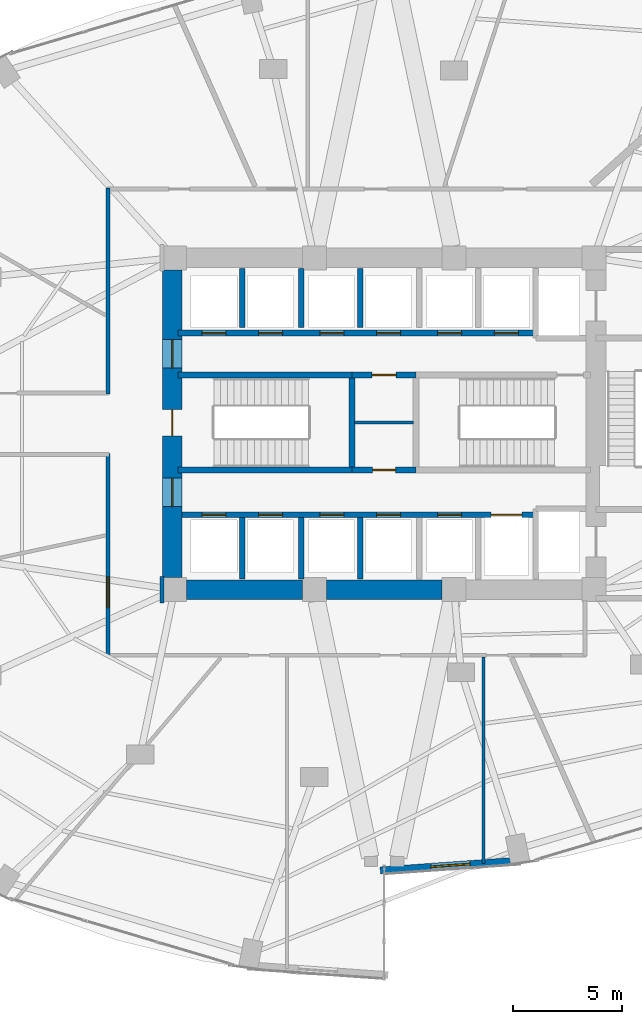
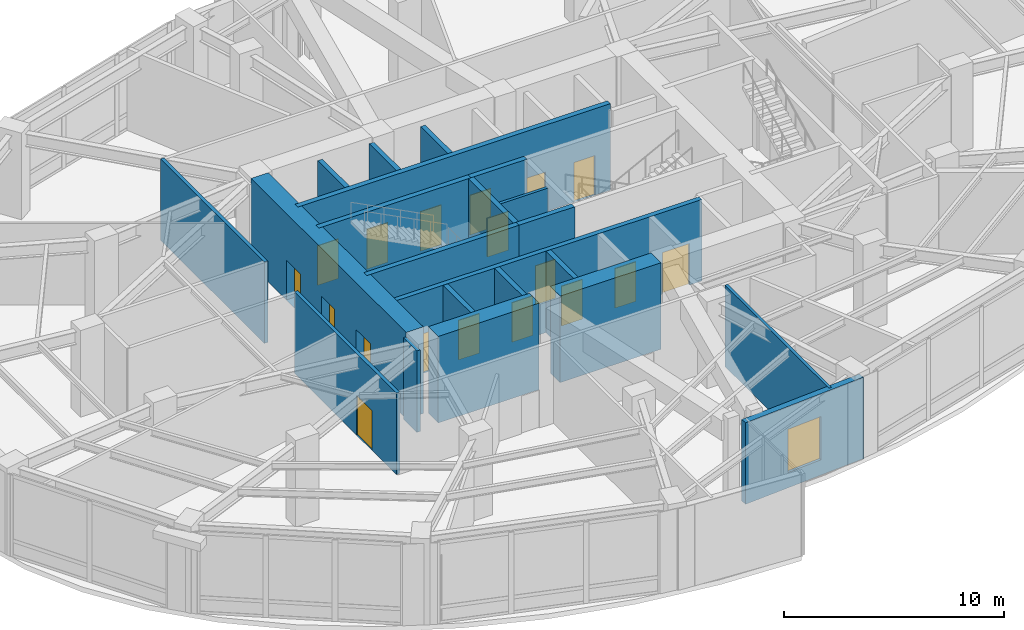
# One storey, part 21 of 24: 22 walls, 18 doors, 1 window, 19 openings.
"""IFC4 building model written with IfcOpenShell, lengths in metres."""

from ifc_helpers import new_model, si_unit, direction, frame, frame_2d, origin, place, context, subcontext, project, spatial, rectangle, extrude, material, layer, layer_set, type_object, element, fill, save


model = new_model("IFC4")

# Units and contexts
model_context = context("Model", 3, precision=1e-05, world=origin(), true_north=direction((0.0, 1.0)))
body_context = subcontext(model_context, "Body", "Model", "MODEL_VIEW")
ifc_project = project(units=[si_unit("LENGTHUNIT", "METRE"), si_unit("AREAUNIT", "SQUARE_METRE"), si_unit("VOLUMEUNIT", "CUBIC_METRE"), si_unit("PLANEANGLEUNIT", "RADIAN"), si_unit("MASSUNIT", "GRAM", prefix="KILO")], contexts=[model_context])

# Site, building, storey
site_placement = place(None, origin())
site = spatial("IfcSite", under=ifc_project, at=site_placement, CompositionType="ELEMENT")
building_placement = place(site_placement, origin())
building = spatial("IfcBuilding", under=site, at=building_placement, Name="Lazwardi Medical Tower", CompositionType="ELEMENT")
storey_placement = place(building_placement, frame((0.0, 0.0, 6.0)))
storey = spatial("IfcBuildingStorey", under=building, at=storey_placement, Name="L01", CompositionType="ELEMENT", Elevation=6.0)

# Walls
ifc_material_1 = material(Name="Fire-rated gypsum board on steel stud", Category="steel")
ifc_layer_1 = layer(ifc_material_1, 0.179931640625)
ifc_layer_set_1 = layer_set([ifc_layer_1], Name="Fire-rated gypsum board on steel stud")
wall_type_1 = type_object("IfcWallType", Name="WL-COR-180", PredefinedType="PARTITIONING", material=ifc_layer_set_1)
wall_1_placement = place(storey_placement, frame((23.35009765625, 29.360107421875, 0.0), z_axis=(0.0, 0.0, 1.0), x_axis=(0.0, 1.0, 0.0)))
element("IfcWall", 1, at=wall_1_placement, inside=storey, type_object=wall_type_1, Name="L01 Corridor partition 3", PredefinedType="PARTITIONING", context=body_context, shape_type="SweptSolid", body=[
    extrude(rectangle(XDim=9.429931640625, YDim=0.179931640625, at=frame_2d((4.71484375, 0.0))), origin(), (0.0, 0.0, 1.0), 4.52001953125),
])
wall_2_placement = place(storey_placement, frame((25.830078125, 21.010009765625, 0.0), z_axis=(0.0, 0.0, 1.0), x_axis=(0.0, -1.0, 0.0)))
element("IfcWall", 2, at=wall_2_placement, inside=storey, type_object=wall_type_1, Name="L01 Corridor partition 12", PredefinedType="PARTITIONING", context=body_context, shape_type="SweptSolid", body=[
    extrude(rectangle(XDim=1.219970703125, YDim=0.179931640625, at=frame_2d((0.60986328125, 0.0))), origin(), (0.0, 0.0, 1.0), 4.52001953125),
])

# Wall, opening, door
wall_3_placement = place(storey_placement, frame((23.35009765625, 17.360107421875, 0.0), z_axis=(0.0, 0.0, 1.0), x_axis=(0.0, 1.0, 0.0)))
wall_3 = element("IfcWall", 3, at=wall_3_placement, inside=storey, type_object=wall_type_1, Name="L01 Corridor partition 15", PredefinedType="PARTITIONING", context=body_context, shape_type="SweptSolid", body=[
    extrude(rectangle(XDim=9.27978515625, YDim=0.179931640625, at=frame_2d((4.639892578125, 0.0))), origin(), (0.0, 0.0, 1.0), 4.52001953125),
])
opening_1_placement = place(wall_3_placement, frame((2.2236328125, 0.0, 0.0)))
opening_1 = element("IfcOpeningElement", 4, at=opening_1_placement, cuts=wall_3, Name="Opening D-L01-007", PredefinedType="OPENING", context=body_context, shape_type="SweptSolid", body=[
    extrude(rectangle(XDim=1.39990234375, YDim=2.199951171875, at=frame_2d((0.699951171875, 1.10009765625))), frame((0.0, 0.099853515625, 0.0), z_axis=(0.0, -1.0, 0.0), x_axis=(1.0, 0.0, 0.0)), (0.0, 0.0, 1.0), 0.199951171875),
])
ifc_material_2 = material(Name="Anti-microbial laminate hospital leaf")
door_type_1 = type_object("IfcDoorType", Name="DR-BED-1400", OperationType="NOTDEFINED", PredefinedType="DOOR", material=ifc_material_2)
door_1_placement = place(opening_1_placement, origin())
door_1 = element("IfcDoor", 5, at=door_1_placement, inside=storey, type_object=door_type_1, Name="L01 Emergency Trauma Resuscitation Door 01", OperationType="SINGLE_SWING_RIGHT", OverallHeight=2.199951171875, OverallWidth=1.39990234375, PredefinedType="DOOR", context=body_context, shape_type="SweptSolid", body=[
    extrude(rectangle(XDim=1.39990234375, YDim=2.199951171875, at=frame_2d((0.699951171875, 1.10009765625))), frame((0.0, 0.02490234375, 0.0), z_axis=(0.0, -1.0, 0.0), x_axis=(1.0, 0.0, 0.0)), (0.0, 0.0, 1.0), 0.050048828125),
])
fill(opening_1, door_1)

# Wall, openings, doors
ifc_material_3 = material(Name="Concrete C80/95", Category="concrete")
ifc_layer_2 = layer(ifc_material_3, 0.89990234375)
ifc_layer_set_2 = layer_set([ifc_layer_2], Name="Concrete C80/95")
wall_type_2 = type_object("IfcWallType", Name="WL-CORE-900", PredefinedType="SHEAR", material=ifc_layer_set_2)
wall_4_placement = place(storey_placement, frame((26.300048828125, 20.949951171875, 0.0), z_axis=(0.0, 0.0, 1.0), x_axis=(0.0, 1.0, 0.0)))
wall_4 = element("IfcWall", 6, at=wall_4_placement, inside=storey, type_object=wall_type_2, Name="Core wall CW-S1 west L01", PredefinedType="SHEAR", context=body_context, shape_type="SweptSolid", body=[
    extrude(rectangle(XDim=14.10009765625, YDim=0.89990234375, at=frame_2d((7.050048828125, 0.0))), origin(), (0.0, 0.0, 1.0), 4.800048828125),
])
opening_2_placement = place(wall_4_placement, frame((6.5, 0.0, 0.0)))
opening_2 = element("IfcOpeningElement", 7, at=opening_2_placement, cuts=wall_4, Name="Opening D-L01-019", PredefinedType="OPENING", context=body_context, shape_type="SweptSolid", body=[
    extrude(rectangle(XDim=1.199951171875, YDim=2.14990234375, at=frame_2d((0.60009765625, 1.074951171875))), frame((0.0, 0.4599609375, 0.0), z_axis=(0.0, -1.0, 0.0), x_axis=(1.0, 0.0, 0.0)), (0.0, 0.0, 1.0), 0.919921875),
])
opening_3_placement = place(wall_4_placement, frame((9.60009765625, 0.0, 0.0)))
opening_3 = element("IfcOpeningElement", 8, at=opening_3_placement, cuts=wall_4, Name="Opening D-L01-005", PredefinedType="OPENING", context=body_context, shape_type="SweptSolid", body=[
    extrude(rectangle(XDim=1.300048828125, YDim=2.199951171875, at=frame_2d((0.64990234375, 1.10009765625))), frame((0.0, 0.4599609375, 0.0), z_axis=(0.0, -1.0, 0.0), x_axis=(1.0, 0.0, 0.0)), (0.0, 0.0, 1.0), 0.919921875),
])
opening_4_placement = place(wall_4_placement, frame((3.260009765625, 0.0, 0.0)))
opening_4 = element("IfcOpeningElement", 9, at=opening_4_placement, cuts=wall_4, Name="Opening D-L01-006", PredefinedType="OPENING", context=body_context, shape_type="SweptSolid", body=[
    extrude(rectangle(XDim=1.300048828125, YDim=2.199951171875, at=frame_2d((0.64990234375, 1.10009765625))), frame((0.0, 0.4599609375, 0.0), z_axis=(0.0, -1.0, 0.0), x_axis=(1.0, 0.0, 0.0)), (0.0, 0.0, 1.0), 0.919921875),
])
ifc_material_4 = material(Name="Fire-rated steel leaf and frame", Category="steel")
door_type_2 = type_object("IfcDoorType", Name="DR-FFL-1300", OperationType="NOTDEFINED", PredefinedType="DOOR", material=ifc_material_4)
door_2_placement = place(opening_3_placement, origin())
door_2 = element("IfcDoor", 10, at=door_2_placement, inside=storey, type_object=door_type_2, Name="L01 North Lift Lobby Door", OperationType="SINGLE_SWING_LEFT", OverallHeight=2.199951171875, OverallWidth=1.300048828125, PredefinedType="DOOR", context=body_context, shape_type="SweptSolid", body=[
    extrude(rectangle(XDim=1.300048828125, YDim=2.199951171875, at=frame_2d((0.64990234375, 1.10009765625))), frame((0.0, 0.02490234375, 0.0), z_axis=(0.0, -1.0, 0.0), x_axis=(1.0, 0.0, 0.0)), (0.0, 0.0, 1.0), 0.050048828125),
])
fill(opening_3, door_2)
door_3_placement = place(opening_4_placement, origin())
door_3 = element("IfcDoor", 11, at=door_3_placement, inside=storey, type_object=door_type_2, Name="L01 South Lift Lobby Door", OperationType="SINGLE_SWING_RIGHT", OverallHeight=2.199951171875, OverallWidth=1.300048828125, PredefinedType="DOOR", context=body_context, shape_type="SweptSolid", body=[
    extrude(rectangle(XDim=1.300048828125, YDim=2.199951171875, at=frame_2d((0.64990234375, 1.10009765625))), frame((0.0, 0.02490234375, 0.0), z_axis=(0.0, -1.0, 0.0), x_axis=(1.0, 0.0, 0.0)), (0.0, 0.0, 1.0), 0.050048828125),
])
fill(opening_4, door_3)
door_type_3 = type_object("IfcDoorType", Name="DR-STR-1200", OperationType="NOTDEFINED", PredefinedType="DOOR", material=ifc_material_4)
door_4_placement = place(opening_2_placement, origin())
door_4 = element("IfcDoor", 12, at=door_4_placement, inside=storey, type_object=door_type_3, Name="L01 Exit Stair ST1 Door", OperationType="SINGLE_SWING_LEFT", OverallHeight=2.14990234375, OverallWidth=1.199951171875, PredefinedType="DOOR", context=body_context, shape_type="SweptSolid", body=[
    extrude(rectangle(XDim=1.199951171875, YDim=2.14990234375, at=frame_2d((0.60009765625, 1.074951171875))), frame((0.0, 0.02490234375, 0.0), z_axis=(0.0, -1.0, 0.0), x_axis=(1.0, 0.0, 0.0)), (0.0, 0.0, 1.0), 0.050048828125),
])
fill(opening_2, door_4)

# Walls
wall_5_placement = place(storey_placement, frame((26.949951171875, 20.39990234375, 0.0), z_axis=(0.0, 0.0, 1.0), x_axis=(1.0, 0.0, 0.0)))
element("IfcWall", 13, at=wall_5_placement, inside=storey, type_object=wall_type_2, Name="Core wall CW-S1 S1 L01", PredefinedType="SHEAR", context=body_context, shape_type="SweptSolid", body=[
    extrude(rectangle(XDim=5.300048828125, YDim=0.89990234375, at=frame_2d((2.64990234375, 0.0))), origin(), (0.0, 0.0, 1.0), 4.800048828125),
])
wall_6_placement = place(storey_placement, frame((33.35009765625, 20.39990234375, 0.0), z_axis=(0.0, 0.0, 1.0), x_axis=(1.0, 0.0, 0.0)))
element("IfcWall", 14, at=wall_6_placement, inside=storey, type_object=wall_type_2, Name="Core wall CW-S1 S2 L01", PredefinedType="SHEAR", context=body_context, shape_type="SweptSolid", body=[
    extrude(rectangle(XDim=5.2998046875, YDim=0.89990234375, at=frame_2d((2.64990234375, 0.0))), origin(), (0.0, 0.0, 1.0), 4.800048828125),
])

# Wall, opening, window
ifc_material_5 = material(Name="Precast concrete C45/55", Category="concrete")
ifc_layer_3 = layer(ifc_material_5, 0.320068359375)
ifc_layer_set_3 = layer_set([ifc_layer_3], Name="Precast concrete C45/55")
wall_type_3 = type_object("IfcWallType", Name="WL-IWAN-320", PredefinedType="SOLIDWALL", material=ifc_layer_set_3)
wall_7_placement = place(storey_placement, frame((35.8203125, 7.54736328125, 0.0), z_axis=(0.0, 0.0, 1.0), x_axis=(0.99751367159, 0.070473221795, 0.0)))
wall_7 = element("IfcWall", 15, at=wall_7_placement, inside=storey, type_object=wall_type_3, Name="L01 Iwan Portal Return Wall SE_ret", PredefinedType="SOLIDWALL", context=body_context, shape_type="SweptSolid", body=[
    extrude(rectangle(XDim=6.45751953125, YDim=0.320068359375, at=frame_2d((3.228759765625, 0.0))), origin(), (0.0, 0.0, 1.0), 4.52001953125),
])
opening_5_placement = place(wall_7_placement, frame((2.32861328125, 0.0, 0.85009765625)))
opening_5 = element("IfcOpeningElement", 16, at=opening_5_placement, cuts=wall_7, Name="Opening WN-03", PredefinedType="OPENING", context=body_context, shape_type="SweptSolid", body=[
    extrude(rectangle(XDim=1.800048828125, YDim=2.39990234375, at=frame_2d((0.89990234375, 1.199951171875))), frame((0.0, 0.169921875, 0.0), z_axis=(0.0, -1.0, 0.0), x_axis=(1.0, 0.0, 0.0)), (0.0, 0.0, 1.0), 0.340087890625),
])
ifc_material_6 = material(Name="Laminated acoustic bronze double glazing", Category="glass")
window_type = type_object("IfcWindowType", Name="WIN-POD-1800", PartitioningType="SINGLE_PANEL", PredefinedType="WINDOW", material=ifc_material_6)
window_placement = place(opening_5_placement, origin())
window = element("IfcWindow", 17, at=window_placement, inside=storey, type_object=window_type, Name="L01 Iwan Slot Window SE_ret", OverallHeight=2.39990234375, OverallWidth=1.800048828125, PartitioningType="SINGLE_PANEL", PredefinedType="WINDOW", context=body_context, shape_type="SweptSolid", body=[
    extrude(rectangle(XDim=1.800048828125, YDim=2.39990234375, at=frame_2d((0.89990234375, 1.199951171875))), frame((0.0, 0.030029296875, 0.0), z_axis=(0.0, -1.0, 0.0), x_axis=(1.0, 0.0, 0.0)), (0.0, 0.0, 1.0), 0.06005859375),
])
fill(opening_5, window)

# Wall, openings, doors
ifc_material_7 = material(Name="Autoclaved aerated concrete blockwork", Category="masonry")
ifc_layer_4 = layer(ifc_material_7, 0.25)
ifc_layer_set_4 = layer_set([ifc_layer_4], Name="Autoclaved aerated concrete blockwork")
wall_type_4 = type_object("IfcWallType", Name="WL-SHAFT-250", PredefinedType="SOLIDWALL", material=ifc_layer_set_4)
wall_8_placement = place(storey_placement, frame((26.75, 23.830078125, 0.0), z_axis=(0.0, 0.0, 1.0), x_axis=(1.0, 0.0, 0.0)))
wall_8 = element("IfcWall", 18, at=wall_8_placement, inside=storey, type_object=wall_type_4, Name="L01 South lift bank front wall", PredefinedType="SOLIDWALL", context=body_context, shape_type="SweptSolid", body=[
    extrude(rectangle(XDim=16.199951171875, YDim=0.25, at=frame_2d((8.10009765625, 0.0))), origin(), (0.0, 0.0, 1.0), 4.52001953125),
])
opening_6_placement = place(wall_8_placement, frame((0.89990234375, 0.0, 0.0)))
opening_6 = element("IfcOpeningElement", 19, at=opening_6_placement, cuts=wall_8, Name="Opening LD-L01-006", PredefinedType="OPENING", context=body_context, shape_type="SweptSolid", body=[
    extrude(rectangle(XDim=1.10009765625, YDim=2.199951171875, at=frame_2d((0.550048828125, 1.10009765625))), frame((0.0, 0.135009765625, 0.0), z_axis=(0.0, -1.0, 0.0), x_axis=(1.0, 0.0, 0.0)), (0.0, 0.0, 1.0), 0.27001953125),
])
opening_7_placement = place(wall_8_placement, frame((3.5, 0.0, 0.0)))
opening_7 = element("IfcOpeningElement", 20, at=opening_7_placement, cuts=wall_8, Name="Opening LD-L01-007", PredefinedType="OPENING", context=body_context, shape_type="SweptSolid", body=[
    extrude(rectangle(XDim=1.10009765625, YDim=2.199951171875, at=frame_2d((0.550048828125, 1.10009765625))), frame((0.0, 0.135009765625, 0.0), z_axis=(0.0, -1.0, 0.0), x_axis=(1.0, 0.0, 0.0)), (0.0, 0.0, 1.0), 0.27001953125),
])
opening_8_placement = place(wall_8_placement, frame((6.300048828125, 0.0, 0.0)))
opening_8 = element("IfcOpeningElement", 21, at=opening_8_placement, cuts=wall_8, Name="Opening LD-L01-010", PredefinedType="OPENING", context=body_context, shape_type="SweptSolid", body=[
    extrude(rectangle(XDim=1.10009765625, YDim=2.199951171875, at=frame_2d((0.550048828125, 1.10009765625))), frame((0.0, 0.135009765625, 0.0), z_axis=(0.0, -1.0, 0.0), x_axis=(1.0, 0.0, 0.0)), (0.0, 0.0, 1.0), 0.27001953125),
])
opening_9_placement = place(wall_8_placement, frame((8.89990234375, 0.0, 0.0)))
opening_9 = element("IfcOpeningElement", 22, at=opening_9_placement, cuts=wall_8, Name="Opening LD-L01-011", PredefinedType="OPENING", context=body_context, shape_type="SweptSolid", body=[
    extrude(rectangle(XDim=1.10009765625, YDim=2.199951171875, at=frame_2d((0.550048828125, 1.10009765625))), frame((0.0, 0.135009765625, 0.0), z_axis=(0.0, -1.0, 0.0), x_axis=(1.0, 0.0, 0.0)), (0.0, 0.0, 1.0), 0.27001953125),
])
opening_10_placement = place(wall_8_placement, frame((11.699951171875, 0.0, 0.0)))
opening_10 = element("IfcOpeningElement", 23, at=opening_10_placement, cuts=wall_8, Name="Opening LD-L01-014", PredefinedType="OPENING", context=body_context, shape_type="SweptSolid", body=[
    extrude(rectangle(XDim=1.10009765625, YDim=2.199951171875, at=frame_2d((0.550048828125, 1.10009765625))), frame((0.0, 0.135009765625, 0.0), z_axis=(0.0, -1.0, 0.0), x_axis=(1.0, 0.0, 0.0)), (0.0, 0.0, 1.0), 0.27001953125),
])
opening_11_placement = place(wall_8_placement, frame((14.14990234375, 0.0, 0.0)))
opening_11 = element("IfcOpeningElement", 24, at=opening_11_placement, cuts=wall_8, Name="Opening LD-L01-003", PredefinedType="OPENING", context=body_context, shape_type="SweptSolid", body=[
    extrude(rectangle(XDim=1.39990234375, YDim=2.300048828125, at=frame_2d((0.699951171875, 1.14990234375))), frame((0.0, 0.135009765625, 0.0), z_axis=(0.0, -1.0, 0.0), x_axis=(1.0, 0.0, 0.0)), (0.0, 0.0, 1.0), 0.27001953125),
])
ifc_material_8 = material(Name="Brushed bronze stainless steel landing door", Category="steel")
door_type_4 = type_object("IfcDoorType", Name="DR-LFT-1100", OperationType="NOTDEFINED", PredefinedType="DOOR", material=ifc_material_8)
door_5_placement = place(opening_6_placement, origin())
door_5 = element("IfcDoor", 25, at=door_5_placement, inside=storey, type_object=door_type_4, Name="L01 Lift Landing Door PL-03", OperationType="SLIDING_TO_LEFT", OverallHeight=2.199951171875, OverallWidth=1.10009765625, PredefinedType="DOOR", context=body_context, shape_type="SweptSolid", body=[
    extrude(rectangle(XDim=1.10009765625, YDim=2.199951171875, at=frame_2d((0.550048828125, 1.10009765625))), frame((0.0, 0.02490234375, 0.0), z_axis=(0.0, -1.0, 0.0), x_axis=(1.0, 0.0, 0.0)), (0.0, 0.0, 1.0), 0.050048828125),
])
fill(opening_6, door_5)
door_6_placement = place(opening_7_placement, origin())
door_6 = element("IfcDoor", 26, at=door_6_placement, inside=storey, type_object=door_type_4, Name="L01 Lift Landing Door PL-04", OperationType="SLIDING_TO_LEFT", OverallHeight=2.199951171875, OverallWidth=1.10009765625, PredefinedType="DOOR", context=body_context, shape_type="SweptSolid", body=[
    extrude(rectangle(XDim=1.10009765625, YDim=2.199951171875, at=frame_2d((0.550048828125, 1.10009765625))), frame((0.0, 0.02490234375, 0.0), z_axis=(0.0, -1.0, 0.0), x_axis=(1.0, 0.0, 0.0)), (0.0, 0.0, 1.0), 0.050048828125),
])
fill(opening_7, door_6)
door_7_placement = place(opening_8_placement, origin())
door_7 = element("IfcDoor", 27, at=door_7_placement, inside=storey, type_object=door_type_4, Name="L01 Lift Landing Door PL-07", OperationType="SLIDING_TO_LEFT", OverallHeight=2.199951171875, OverallWidth=1.10009765625, PredefinedType="DOOR", context=body_context, shape_type="SweptSolid", body=[
    extrude(rectangle(XDim=1.10009765625, YDim=2.199951171875, at=frame_2d((0.550048828125, 1.10009765625))), frame((0.0, 0.02490234375, 0.0), z_axis=(0.0, -1.0, 0.0), x_axis=(1.0, 0.0, 0.0)), (0.0, 0.0, 1.0), 0.050048828125),
])
fill(opening_8, door_7)
door_8_placement = place(opening_9_placement, origin())
door_8 = element("IfcDoor", 28, at=door_8_placement, inside=storey, type_object=door_type_4, Name="L01 Lift Landing Door PL-08", OperationType="SLIDING_TO_LEFT", OverallHeight=2.199951171875, OverallWidth=1.10009765625, PredefinedType="DOOR", context=body_context, shape_type="SweptSolid", body=[
    extrude(rectangle(XDim=1.10009765625, YDim=2.199951171875, at=frame_2d((0.550048828125, 1.10009765625))), frame((0.0, 0.02490234375, 0.0), z_axis=(0.0, -1.0, 0.0), x_axis=(1.0, 0.0, 0.0)), (0.0, 0.0, 1.0), 0.050048828125),
])
fill(opening_9, door_8)
door_9_placement = place(opening_10_placement, origin())
door_9 = element("IfcDoor", 29, at=door_9_placement, inside=storey, type_object=door_type_4, Name="L01 Lift Landing Door PL-11", OperationType="SLIDING_TO_LEFT", OverallHeight=2.199951171875, OverallWidth=1.10009765625, PredefinedType="DOOR", context=body_context, shape_type="SweptSolid", body=[
    extrude(rectangle(XDim=1.10009765625, YDim=2.199951171875, at=frame_2d((0.550048828125, 1.10009765625))), frame((0.0, 0.02490234375, 0.0), z_axis=(0.0, -1.0, 0.0), x_axis=(1.0, 0.0, 0.0)), (0.0, 0.0, 1.0), 0.050048828125),
])
fill(opening_10, door_9)
ifc_material_9 = material(Name="Brushed stainless steel bed-lift landing door", Category="steel")
door_type_5 = type_object("IfcDoorType", Name="DR-LFT-1400", OperationType="NOTDEFINED", PredefinedType="DOOR", material=ifc_material_9)
door_10_placement = place(opening_11_placement, origin())
door_10 = element("IfcDoor", 30, at=door_10_placement, inside=storey, type_object=door_type_5, Name="L01 Lift Landing Door FL-03", OperationType="SLIDING_TO_LEFT", OverallHeight=2.300048828125, OverallWidth=1.39990234375, PredefinedType="DOOR", context=body_context, shape_type="SweptSolid", body=[
    extrude(rectangle(XDim=1.39990234375, YDim=2.300048828125, at=frame_2d((0.699951171875, 1.14990234375))), frame((0.0, 0.02490234375, 0.0), z_axis=(0.0, -1.0, 0.0), x_axis=(1.0, 0.0, 0.0)), (0.0, 0.0, 1.0), 0.050048828125),
])
fill(opening_11, door_10)

# Walls
wall_9_placement = place(storey_placement, frame((29.5, 32.419921875, 0.0), z_axis=(0.0, 0.0, 1.0), x_axis=(0.0, 1.0, 0.0)))
element("IfcWall", 31, at=wall_9_placement, inside=storey, type_object=wall_type_4, Name="L01 North hoistway divider", PredefinedType="SOLIDWALL", context=body_context, shape_type="SweptSolid", body=[
    extrude(rectangle(XDim=2.68017578125, YDim=0.25, at=frame_2d((1.340087890625, 0.0))), origin(), (0.0, 0.0, 1.0), 4.52001953125),
])
wall_10_placement = place(storey_placement, frame((29.5, 20.89990234375, 0.0), z_axis=(0.0, 0.0, 1.0), x_axis=(0.0, 1.0, 0.0)))
element("IfcWall", 32, at=wall_10_placement, inside=storey, type_object=wall_type_4, Name="L01 South hoistway divider", PredefinedType="SOLIDWALL", context=body_context, shape_type="SweptSolid", body=[
    extrude(rectangle(XDim=2.800048828125, YDim=0.25, at=frame_2d((1.39990234375, 0.0))), origin(), (0.0, 0.0, 1.0), 4.52001953125),
])
wall_11_placement = place(storey_placement, frame((32.199951171875, 32.419921875, 0.0), z_axis=(0.0, 0.0, 1.0), x_axis=(0.0, 1.0, 0.0)))
element("IfcWall", 33, at=wall_11_placement, inside=storey, type_object=wall_type_4, Name="L01 North hoistway divider", PredefinedType="SOLIDWALL", context=body_context, shape_type="SweptSolid", body=[
    extrude(rectangle(XDim=2.68017578125, YDim=0.25, at=frame_2d((1.340087890625, 0.0))), origin(), (0.0, 0.0, 1.0), 4.52001953125),
])
wall_12_placement = place(storey_placement, frame((32.199951171875, 20.89990234375, 0.0), z_axis=(0.0, 0.0, 1.0), x_axis=(0.0, 1.0, 0.0)))
element("IfcWall", 34, at=wall_12_placement, inside=storey, type_object=wall_type_4, Name="L01 South hoistway divider", PredefinedType="SOLIDWALL", context=body_context, shape_type="SweptSolid", body=[
    extrude(rectangle(XDim=2.800048828125, YDim=0.25, at=frame_2d((1.39990234375, 0.0))), origin(), (0.0, 0.0, 1.0), 4.52001953125),
])
wall_13_placement = place(storey_placement, frame((34.89990234375, 32.419921875, 0.0), z_axis=(0.0, 0.0, 1.0), x_axis=(0.0, 1.0, 0.0)))
element("IfcWall", 35, at=wall_13_placement, inside=storey, type_object=wall_type_4, Name="L01 North hoistway divider", PredefinedType="SOLIDWALL", context=body_context, shape_type="SweptSolid", body=[
    extrude(rectangle(XDim=2.68017578125, YDim=0.25, at=frame_2d((1.340087890625, 0.0))), origin(), (0.0, 0.0, 1.0), 4.52001953125),
])
wall_14_placement = place(storey_placement, frame((34.89990234375, 20.89990234375, 0.0), z_axis=(0.0, 0.0, 1.0), x_axis=(0.0, 1.0, 0.0)))
element("IfcWall", 36, at=wall_14_placement, inside=storey, type_object=wall_type_4, Name="L01 South hoistway divider", PredefinedType="SOLIDWALL", context=body_context, shape_type="SweptSolid", body=[
    extrude(rectangle(XDim=2.800048828125, YDim=0.25, at=frame_2d((1.39990234375, 0.0))), origin(), (0.0, 0.0, 1.0), 4.52001953125),
])
ifc_material_10 = material(Name="Concrete C50/60", Category="concrete")
ifc_layer_5 = layer(ifc_material_10, 0.27001953125)
ifc_layer_set_5 = layer_set([ifc_layer_5], Name="Concrete C50/60")
wall_type_5 = type_object("IfcWallType", Name="WL-STR-250", PredefinedType="SHEAR", material=ifc_layer_set_5)
wall_15_placement = place(storey_placement, frame((26.550048828125, 30.235107421875, 0.0), z_axis=(0.0, 0.0, 1.0), x_axis=(1.0, 0.0, 0.0)))
element("IfcWall", 37, at=wall_15_placement, inside=storey, type_object=wall_type_5, Name="L01 ST1 North shear shaft wall SW-S1", PredefinedType="SHEAR", context=body_context, shape_type="SweptSolid", body=[
    extrude(rectangle(XDim=7.98486328125, YDim=0.27001953125, at=frame_2d((3.992431640625, 0.0))), origin(), (0.0, 0.0, 1.0), 4.800048828125),
])

# Wall, opening, door
wall_16_placement = place(storey_placement, frame((34.534912109375, 30.235107421875, 0.0), z_axis=(0.0, 0.0, 1.0), x_axis=(1.0, 0.0, 0.0)))
wall_16 = element("IfcWall", 38, at=wall_16_placement, inside=storey, type_object=wall_type_5, Name="L01 Core service North shear wall SW-S1", PredefinedType="SHEAR", context=body_context, shape_type="SweptSolid", body=[
    extrude(rectangle(XDim=2.93017578125, YDim=0.27001953125, at=frame_2d((1.465087890625, 0.0))), origin(), (0.0, 0.0, 1.0), 4.800048828125),
])
opening_12_placement = place(wall_16_placement, frame((0.9150390625, 0.0, 0.0)))
opening_12 = element("IfcOpeningElement", 39, at=opening_12_placement, cuts=wall_16, Name="Opening D-L01-002", PredefinedType="OPENING", context=body_context, shape_type="SweptSolid", body=[
    extrude(rectangle(XDim=1.10009765625, YDim=2.14990234375, at=frame_2d((0.550048828125, 1.074951171875))), frame((0.0, 0.14501953125, 0.0), z_axis=(0.0, -1.0, 0.0), x_axis=(1.0, 0.0, 0.0)), (0.0, 0.0, 1.0), 0.2900390625),
])
door_type_6 = type_object("IfcDoorType", Name="DR-PLT-1100", OperationType="NOTDEFINED", PredefinedType="DOOR", material=ifc_material_4)
door_11_placement = place(opening_12_placement, origin())
door_11 = element("IfcDoor", 40, at=door_11_placement, inside=storey, type_object=door_type_6, Name="L01 Electrical Room Door", OperationType="SINGLE_SWING_RIGHT", OverallHeight=2.14990234375, OverallWidth=1.10009765625, PredefinedType="DOOR", context=body_context, shape_type="SweptSolid", body=[
    extrude(rectangle(XDim=1.10009765625, YDim=2.14990234375, at=frame_2d((0.550048828125, 1.074951171875))), frame((0.0, 0.02490234375, 0.0), z_axis=(0.0, -1.0, 0.0), x_axis=(1.0, 0.0, 0.0)), (0.0, 0.0, 1.0), 0.050048828125),
])
fill(opening_12, door_11)

# Wall
wall_17_placement = place(storey_placement, frame((26.550048828125, 25.885009765625, 0.0), z_axis=(0.0, 0.0, 1.0), x_axis=(1.0, 0.0, 0.0)))
element("IfcWall", 41, at=wall_17_placement, inside=storey, type_object=wall_type_5, Name="L01 ST1 South shear shaft wall SW-S1", PredefinedType="SHEAR", context=body_context, shape_type="SweptSolid", body=[
    extrude(rectangle(XDim=7.98486328125, YDim=0.27001953125, at=frame_2d((3.992431640625, 0.0))), origin(), (0.0, 0.0, 1.0), 4.800048828125),
])

# Wall, opening, door
wall_18_placement = place(storey_placement, frame((34.534912109375, 25.885009765625, 0.0), z_axis=(0.0, 0.0, 1.0), x_axis=(1.0, 0.0, 0.0)))
wall_18 = element("IfcWall", 42, at=wall_18_placement, inside=storey, type_object=wall_type_5, Name="L01 Core service South shear wall SW-S1", PredefinedType="SHEAR", context=body_context, shape_type="SweptSolid", body=[
    extrude(rectangle(XDim=2.93017578125, YDim=0.27001953125, at=frame_2d((1.465087890625, 0.0))), origin(), (0.0, 0.0, 1.0), 4.800048828125),
])
opening_13_placement = place(wall_18_placement, frame((0.93994140625, 0.0, 0.0)))
opening_13 = element("IfcOpeningElement", 43, at=opening_13_placement, cuts=wall_18, Name="Opening D-L01-001", PredefinedType="OPENING", context=body_context, shape_type="SweptSolid", body=[
    extrude(rectangle(XDim=1.050048828125, YDim=2.14990234375, at=frame_2d((0.52490234375, 1.074951171875))), frame((0.0, 0.14501953125, 0.0), z_axis=(0.0, -1.0, 0.0), x_axis=(1.0, 0.0, 0.0)), (0.0, 0.0, 1.0), 0.2900390625),
])
door_type_7 = type_object("IfcDoorType", Name="DR-CLN-1050", OperationType="NOTDEFINED", PredefinedType="DOOR", material=ifc_material_2)
door_12_placement = place(opening_13_placement, origin())
door_12 = element("IfcDoor", 44, at=door_12_placement, inside=storey, type_object=door_type_7, Name="L01 Dirty Sluice Door", OperationType="SINGLE_SWING_LEFT", OverallHeight=2.14990234375, OverallWidth=1.050048828125, PredefinedType="DOOR", context=body_context, shape_type="SweptSolid", body=[
    extrude(rectangle(XDim=1.050048828125, YDim=2.14990234375, at=frame_2d((0.52490234375, 1.074951171875))), frame((0.0, 0.02490234375, 0.0), z_axis=(0.0, -1.0, 0.0), x_axis=(1.0, 0.0, 0.0)), (0.0, 0.0, 1.0), 0.050048828125),
])
fill(opening_13, door_12)

# Wall
wall_19_placement = place(storey_placement, frame((34.534912109375, 26.02001953125, 0.0), z_axis=(0.0, 0.0, 1.0), x_axis=(0.0, 1.0, 0.0)))
element("IfcWall", 45, at=wall_19_placement, inside=storey, type_object=wall_type_5, Name="L01 ST1 East shear shaft wall SW-S1", PredefinedType="SHEAR", context=body_context, shape_type="SweptSolid", body=[
    extrude(rectangle(XDim=4.080078125, YDim=0.27001953125, at=frame_2d((2.0400390625, 0.0))), origin(), (0.0, 0.0, 1.0), 4.800048828125),
])

# Wall, openings, doors
wall_20_placement = place(storey_placement, frame((26.550048828125, 32.14990234375, 0.0), z_axis=(0.0, 0.0, 1.0), x_axis=(1.0, 0.0, 0.0)))
wall_20 = element("IfcWall", 46, at=wall_20_placement, inside=storey, type_object=wall_type_5, Name="L01 North lift bank shear wall SW-S1", PredefinedType="SHEAR", context=body_context, shape_type="SweptSolid", body=[
    extrude(rectangle(XDim=16.39990234375, YDim=0.27001953125, at=frame_2d((8.199951171875, 0.0))), origin(), (0.0, 0.0, 1.0), 4.800048828125),
])
opening_14_placement = place(wall_20_placement, frame((1.10009765625, 0.0, 0.0)))
opening_14 = element("IfcOpeningElement", 47, at=opening_14_placement, cuts=wall_20, Name="Opening LD-L01-004", PredefinedType="OPENING", context=body_context, shape_type="SweptSolid", body=[
    extrude(rectangle(XDim=1.10009765625, YDim=2.199951171875, at=frame_2d((0.550048828125, 1.10009765625))), frame((0.0, 0.14501953125, 0.0), z_axis=(0.0, -1.0, 0.0), x_axis=(1.0, 0.0, 0.0)), (0.0, 0.0, 1.0), 0.2900390625),
])
opening_15_placement = place(wall_20_placement, frame((3.699951171875, 0.0, 0.0)))
opening_15 = element("IfcOpeningElement", 48, at=opening_15_placement, cuts=wall_20, Name="Opening LD-L01-005", PredefinedType="OPENING", context=body_context, shape_type="SweptSolid", body=[
    extrude(rectangle(XDim=1.10009765625, YDim=2.199951171875, at=frame_2d((0.550048828125, 1.10009765625))), frame((0.0, 0.14501953125, 0.0), z_axis=(0.0, -1.0, 0.0), x_axis=(1.0, 0.0, 0.0)), (0.0, 0.0, 1.0), 0.2900390625),
])
opening_16_placement = place(wall_20_placement, frame((6.5, 0.0, 0.0)))
opening_16 = element("IfcOpeningElement", 49, at=opening_16_placement, cuts=wall_20, Name="Opening LD-L01-008", PredefinedType="OPENING", context=body_context, shape_type="SweptSolid", body=[
    extrude(rectangle(XDim=1.10009765625, YDim=2.199951171875, at=frame_2d((0.550048828125, 1.10009765625))), frame((0.0, 0.14501953125, 0.0), z_axis=(0.0, -1.0, 0.0), x_axis=(1.0, 0.0, 0.0)), (0.0, 0.0, 1.0), 0.2900390625),
])
opening_17_placement = place(wall_20_placement, frame((9.10009765625, 0.0, 0.0)))
opening_17 = element("IfcOpeningElement", 50, at=opening_17_placement, cuts=wall_20, Name="Opening LD-L01-009", PredefinedType="OPENING", context=body_context, shape_type="SweptSolid", body=[
    extrude(rectangle(XDim=1.10009765625, YDim=2.199951171875, at=frame_2d((0.550048828125, 1.10009765625))), frame((0.0, 0.14501953125, 0.0), z_axis=(0.0, -1.0, 0.0), x_axis=(1.0, 0.0, 0.0)), (0.0, 0.0, 1.0), 0.2900390625),
])
opening_18_placement = place(wall_20_placement, frame((11.89990234375, 0.0, 0.0)))
opening_18 = element("IfcOpeningElement", 51, at=opening_18_placement, cuts=wall_20, Name="Opening LD-L01-012", PredefinedType="OPENING", context=body_context, shape_type="SweptSolid", body=[
    extrude(rectangle(XDim=1.10009765625, YDim=2.199951171875, at=frame_2d((0.550048828125, 1.10009765625))), frame((0.0, 0.14501953125, 0.0), z_axis=(0.0, -1.0, 0.0), x_axis=(1.0, 0.0, 0.0)), (0.0, 0.0, 1.0), 0.2900390625),
])
opening_19_placement = place(wall_20_placement, frame((14.5, 0.0, 0.0)))
opening_19 = element("IfcOpeningElement", 52, at=opening_19_placement, cuts=wall_20, Name="Opening LD-L01-013", PredefinedType="OPENING", context=body_context, shape_type="SweptSolid", body=[
    extrude(rectangle(XDim=1.10009765625, YDim=2.199951171875, at=frame_2d((0.550048828125, 1.10009765625))), frame((0.0, 0.14501953125, 0.0), z_axis=(0.0, -1.0, 0.0), x_axis=(1.0, 0.0, 0.0)), (0.0, 0.0, 1.0), 0.2900390625),
])
door_13_placement = place(opening_14_placement, origin())
door_13 = element("IfcDoor", 53, at=door_13_placement, inside=storey, type_object=door_type_4, Name="L01 Lift Landing Door PL-01", OperationType="SLIDING_TO_LEFT", OverallHeight=2.199951171875, OverallWidth=1.10009765625, PredefinedType="DOOR", context=body_context, shape_type="SweptSolid", body=[
    extrude(rectangle(XDim=1.10009765625, YDim=2.199951171875, at=frame_2d((0.550048828125, 1.10009765625))), frame((0.0, 0.02490234375, 0.0), z_axis=(0.0, -1.0, 0.0), x_axis=(1.0, 0.0, 0.0)), (0.0, 0.0, 1.0), 0.050048828125),
])
fill(opening_14, door_13)
door_14_placement = place(opening_15_placement, origin())
door_14 = element("IfcDoor", 54, at=door_14_placement, inside=storey, type_object=door_type_4, Name="L01 Lift Landing Door PL-02", OperationType="SLIDING_TO_LEFT", OverallHeight=2.199951171875, OverallWidth=1.10009765625, PredefinedType="DOOR", context=body_context, shape_type="SweptSolid", body=[
    extrude(rectangle(XDim=1.10009765625, YDim=2.199951171875, at=frame_2d((0.550048828125, 1.10009765625))), frame((0.0, 0.02490234375, 0.0), z_axis=(0.0, -1.0, 0.0), x_axis=(1.0, 0.0, 0.0)), (0.0, 0.0, 1.0), 0.050048828125),
])
fill(opening_15, door_14)
door_15_placement = place(opening_16_placement, origin())
door_15 = element("IfcDoor", 55, at=door_15_placement, inside=storey, type_object=door_type_4, Name="L01 Lift Landing Door PL-05", OperationType="SLIDING_TO_LEFT", OverallHeight=2.199951171875, OverallWidth=1.10009765625, PredefinedType="DOOR", context=body_context, shape_type="SweptSolid", body=[
    extrude(rectangle(XDim=1.10009765625, YDim=2.199951171875, at=frame_2d((0.550048828125, 1.10009765625))), frame((0.0, 0.02490234375, 0.0), z_axis=(0.0, -1.0, 0.0), x_axis=(1.0, 0.0, 0.0)), (0.0, 0.0, 1.0), 0.050048828125),
])
fill(opening_16, door_15)
door_16_placement = place(opening_17_placement, origin())
door_16 = element("IfcDoor", 56, at=door_16_placement, inside=storey, type_object=door_type_4, Name="L01 Lift Landing Door PL-06", OperationType="SLIDING_TO_LEFT", OverallHeight=2.199951171875, OverallWidth=1.10009765625, PredefinedType="DOOR", context=body_context, shape_type="SweptSolid", body=[
    extrude(rectangle(XDim=1.10009765625, YDim=2.199951171875, at=frame_2d((0.550048828125, 1.10009765625))), frame((0.0, 0.02490234375, 0.0), z_axis=(0.0, -1.0, 0.0), x_axis=(1.0, 0.0, 0.0)), (0.0, 0.0, 1.0), 0.050048828125),
])
fill(opening_17, door_16)
door_17_placement = place(opening_18_placement, origin())
door_17 = element("IfcDoor", 57, at=door_17_placement, inside=storey, type_object=door_type_4, Name="L01 Lift Landing Door PL-09", OperationType="SLIDING_TO_LEFT", OverallHeight=2.199951171875, OverallWidth=1.10009765625, PredefinedType="DOOR", context=body_context, shape_type="SweptSolid", body=[
    extrude(rectangle(XDim=1.10009765625, YDim=2.199951171875, at=frame_2d((0.550048828125, 1.10009765625))), frame((0.0, 0.02490234375, 0.0), z_axis=(0.0, -1.0, 0.0), x_axis=(1.0, 0.0, 0.0)), (0.0, 0.0, 1.0), 0.050048828125),
])
fill(opening_18, door_17)
door_18_placement = place(opening_19_placement, origin())
door_18 = element("IfcDoor", 58, at=door_18_placement, inside=storey, type_object=door_type_4, Name="L01 Lift Landing Door PL-10", OperationType="SLIDING_TO_LEFT", OverallHeight=2.199951171875, OverallWidth=1.10009765625, PredefinedType="DOOR", context=body_context, shape_type="SweptSolid", body=[
    extrude(rectangle(XDim=1.10009765625, YDim=2.199951171875, at=frame_2d((0.550048828125, 1.10009765625))), frame((0.0, 0.02490234375, 0.0), z_axis=(0.0, -1.0, 0.0), x_axis=(1.0, 0.0, 0.0)), (0.0, 0.0, 1.0), 0.050048828125),
])
fill(opening_19, door_18)

# Walls
ifc_material_11 = material(Name="Acoustic gypsum board partition")
ifc_layer_6 = layer(ifc_material_11, 0.14990234375)
ifc_layer_set_6 = layer_set([ifc_layer_6], Name="Acoustic gypsum board partition")
wall_type_6 = type_object("IfcWallType", Name="WL-WRD-150", PredefinedType="PARTITIONING", material=ifc_layer_set_6)
wall_21_placement = place(storey_placement, frame((34.64990234375, 28.06005859375, 0.0), z_axis=(0.0, 0.0, 1.0), x_axis=(1.0, 0.0, 0.0)))
element("IfcWall", 59, at=wall_21_placement, inside=storey, type_object=wall_type_6, Name="L01 Core service divider", PredefinedType="PARTITIONING", context=body_context, shape_type="SweptSolid", body=[
    extrude(rectangle(XDim=2.7001953125, YDim=0.14990234375, at=frame_2d((1.35009765625, 0.0))), origin(), (0.0, 0.0, 1.0), 4.52001953125),
])
wall_22_placement = place(storey_placement, frame((40.550048828125, 7.8662109375, 0.0), z_axis=(0.0, 0.0, 1.0), x_axis=(0.0, 1.0, 0.0)))
element("IfcWall", 60, at=wall_22_placement, inside=storey, type_object=wall_type_6, Name="L01 Room partition 12", PredefinedType="PARTITIONING", context=body_context, shape_type="SweptSolid", body=[
    extrude(rectangle(XDim=9.44384765625, YDim=0.14990234375, at=frame_2d((4.721923828125, 0.0))), origin(), (0.0, 0.0, 1.0), 4.52001953125),
])

save(model, "model.ifc")
